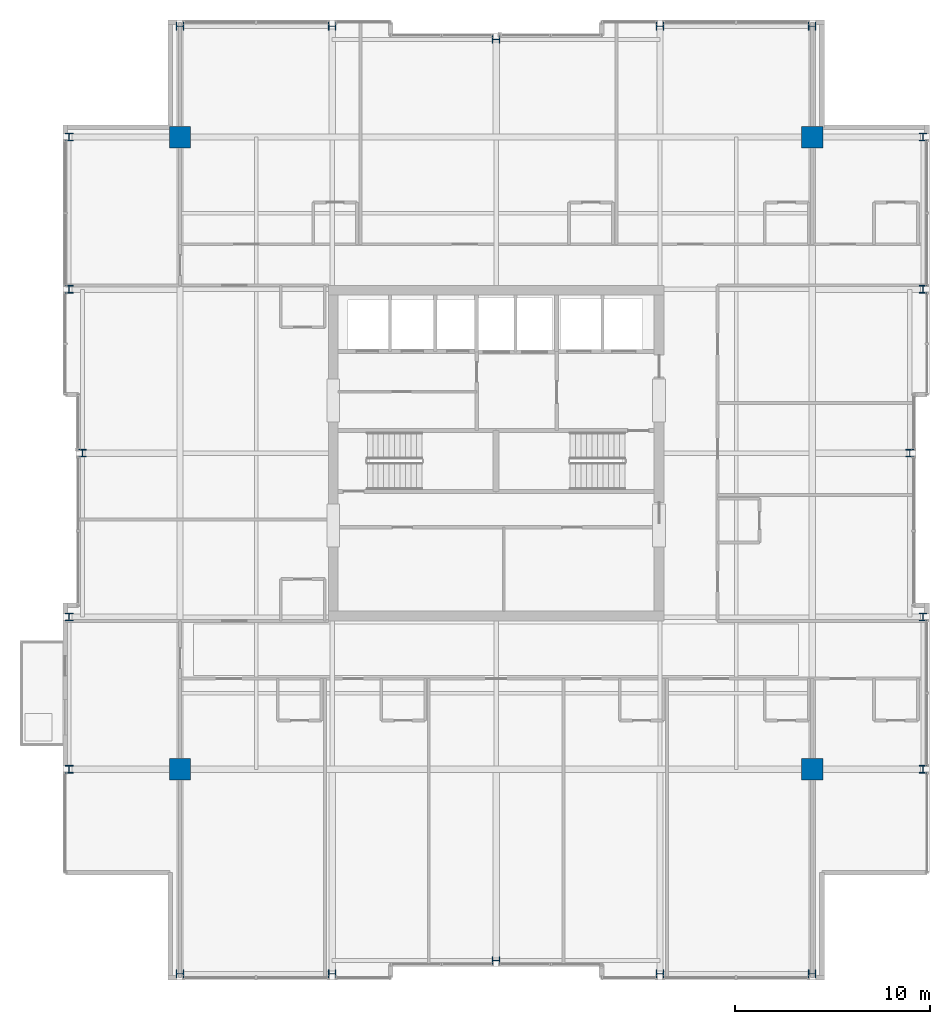
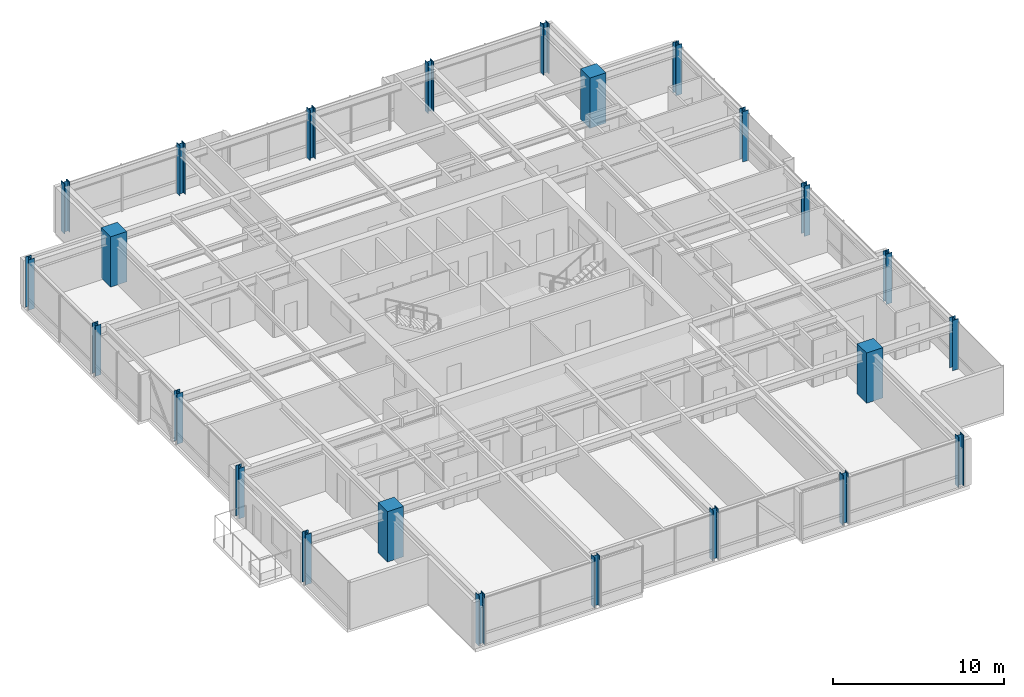
# One storey, part 1 of 32: 24 columns.
"""IFC4 building model written with IfcOpenShell, lengths in metres."""

from ifc_helpers import new_model, si_unit, direction, frame, origin, origin_2d, place, context, subcontext, project, spatial, rectangle, i_section, extrude, material, material_profile, profile_set, type_object, element, save


model = new_model("IFC4")

# Units and contexts
model_context = context("Model", 3, precision=1e-05, world=origin(), true_north=direction((0.0, 1.0)))
body_context = subcontext(model_context, "Body", "Model", "MODEL_VIEW")
ifc_project = project(units=[si_unit("LENGTHUNIT", "METRE"), si_unit("AREAUNIT", "SQUARE_METRE"), si_unit("VOLUMEUNIT", "CUBIC_METRE"), si_unit("PLANEANGLEUNIT", "RADIAN"), si_unit("MASSUNIT", "GRAM", prefix="KILO")], contexts=[model_context])

# Site, building, storey
site_placement = place(None, origin())
site = spatial("IfcSite", under=ifc_project, at=site_placement, CompositionType="ELEMENT")
building_placement = place(site_placement, origin())
building = spatial("IfcBuilding", under=site, at=building_placement, Name="Drelvath Grand Hotel", CompositionType="ELEMENT")
storey_placement = place(building_placement, frame((0.0, 0.0, 233.89990234375)))
storey = spatial("IfcBuildingStorey", under=building, at=storey_placement, Name="L61", CompositionType="ELEMENT", Elevation=233.89990234375)

# Columns
ifc_material_1 = material(Name="Concrete f'c 55 MPa", Category="concrete")
ifc_material_profile_1 = material_profile(ifc_material_1, rectangle(XDim=1.10009765625, YDim=1.10009765625, at=origin_2d()), Name="MC1100X1100")
ifc_profile_set_1 = profile_set([ifc_material_profile_1], Name="Concrete f'c 55 MPa")
column_type_1 = type_object("IfcColumnType", Name="Composite Mega Column MC1100X1100", PredefinedType="COLUMN", material=ifc_profile_set_1)
for number, where, z_axis, x_axis, name in (
    (1, (-16.199951171875, 10.800048828125, 0.0), (0.0, 0.0, 1.0), (1.0, 0.0, 0.0), "L61 Composite Mega Column MC-SW"),
    (2, (16.199951171875, 10.800048828125, 0.0), (0.0, 0.0, 1.0), (1.0, 0.0, 0.0), "L61 Composite Mega Column MC-SE"),
    (3, (-16.199951171875, 43.199951171875, 0.0), (0.0, 0.0, 1.0), (1.0, 0.0, 0.0), "L61 Composite Mega Column MC-NW"),
    (4, (16.199951171875, 43.199951171875, 0.0), (0.0, 0.0, 1.0), (1.0, 0.0, 0.0), "L61 Composite Mega Column MC-NE"),
):
    element("IfcColumn", number, at=place(storey_placement, frame(where, z_axis=z_axis, x_axis=x_axis)), inside=storey, type_object=column_type_1, Name=name, PredefinedType="COLUMN", context=body_context, shape_type="SweptSolid", body=[
        extrude(rectangle(XDim=1.10009765625, YDim=1.10009765625, at=origin_2d()), origin(), (0.0, 0.0, 1.0), 3.60009765625),
    ])
ifc_material_2 = material(Name="Steel ASTM A913 Gr 65", Category="steel")
ifc_material_profile_2 = material_profile(ifc_material_2, i_section(OverallWidth=0.3974609375, OverallDepth=0.38671875, WebThickness=0.02099609375, FlangeThickness=0.033203125, FilletRadius=0.02490234375, at=origin_2d()), Name="W14X176")
ifc_profile_set_2 = profile_set([ifc_material_profile_2], Name="Steel ASTM A913 Gr 65")
column_type_2 = type_object("IfcColumnType", Name="Perimeter Steel Column W14X176", PredefinedType="COLUMN", material=ifc_profile_set_2)
for number, where, z_axis, x_axis, name in (
    (5, (-21.8798828125, 10.800048828125, 0.0), (0.0, 0.0, 1.0), (1.0, 0.0, 0.0), "L61 Structural Column TCW-C"),
    (6, (21.8798828125, 10.800048828125, 0.0), (0.0, 0.0, 1.0), (1.0, 0.0, 0.0), "L61 Structural Column TCE-C"),
    (7, (-21.8798828125, 18.60009765625, 0.0), (0.0, 0.0, 1.0), (1.0, 0.0, 0.0), "L61 Structural Column TCW-D"),
    (8, (21.8798828125, 18.60009765625, 0.0), (0.0, 0.0, 1.0), (1.0, 0.0, 0.0), "L61 Structural Column TCE-D"),
    (9, (-21.199951171875, 27.0, 0.0), (0.0, 0.0, 1.0), (1.0, 0.0, 0.0), "L61 Structural Column TCW-E"),
    (10, (21.199951171875, 27.0, 0.0), (0.0, 0.0, 1.0), (1.0, 0.0, 0.0), "L61 Structural Column TCE-E"),
    (11, (-21.8798828125, 35.39990234375, 0.0), (0.0, 0.0, 1.0), (1.0, 0.0, 0.0), "L61 Structural Column TCW-F"),
    (12, (21.8798828125, 35.39990234375, 0.0), (0.0, 0.0, 1.0), (1.0, 0.0, 0.0), "L61 Structural Column TCE-F"),
    (13, (-21.8798828125, 43.199951171875, 0.0), (0.0, 0.0, 1.0), (1.0, 0.0, 0.0), "L61 Structural Column TCW-G"),
    (14, (21.8798828125, 43.199951171875, 0.0), (0.0, 0.0, 1.0), (1.0, 0.0, 0.0), "L61 Structural Column TCE-G"),
    (15, (-16.199951171875, 0.320068359375, 0.0), (0.0, 0.0, 1.0), (0.0, 1.0, 0.0), "L61 Structural Column TCS-3"),
    (16, (-16.199951171875, 48.8798828125, 0.0), (0.0, 0.0, 1.0), (0.0, 1.0, 0.0), "L61 Structural Column TCN-3"),
    (17, (-8.39990234375, 0.320068359375, 0.0), (0.0, 0.0, 1.0), (0.0, 1.0, 0.0), "L61 Structural Column TCS-4"),
    (18, (-8.39990234375, 48.8798828125, 0.0), (0.0, 0.0, 1.0), (0.0, 1.0, 0.0), "L61 Structural Column TCN-4"),
    (19, (0.0, 1.0, 0.0), (0.0, 0.0, 1.0), (0.0, 1.0, 0.0), "L61 Structural Column TCS-5"),
    (20, (0.0, 48.199951171875, 0.0), (0.0, 0.0, 1.0), (0.0, 1.0, 0.0), "L61 Structural Column TCN-5"),
    (21, (8.39990234375, 0.320068359375, 0.0), (0.0, 0.0, 1.0), (0.0, 1.0, 0.0), "L61 Structural Column TCS-6"),
    (22, (8.39990234375, 48.8798828125, 0.0), (0.0, 0.0, 1.0), (0.0, 1.0, 0.0), "L61 Structural Column TCN-6"),
    (23, (16.199951171875, 0.320068359375, 0.0), (0.0, 0.0, 1.0), (0.0, 1.0, 0.0), "L61 Structural Column TCS-7"),
    (24, (16.199951171875, 48.8798828125, 0.0), (0.0, 0.0, 1.0), (0.0, 1.0, 0.0), "L61 Structural Column TCN-7"),
):
    element("IfcColumn", number, at=place(storey_placement, frame(where, z_axis=z_axis, x_axis=x_axis)), inside=storey, type_object=column_type_2, Name=name, PredefinedType="COLUMN", context=body_context, shape_type="SweptSolid", body=[
        extrude(i_section(OverallWidth=0.3974609375, OverallDepth=0.38671875, WebThickness=0.02099609375, FlangeThickness=0.033203125, FilletRadius=0.02490234375, at=origin_2d()), origin(), (0.0, 0.0, 1.0), 3.59716796875),
    ])

save(model, "model.ifc")
